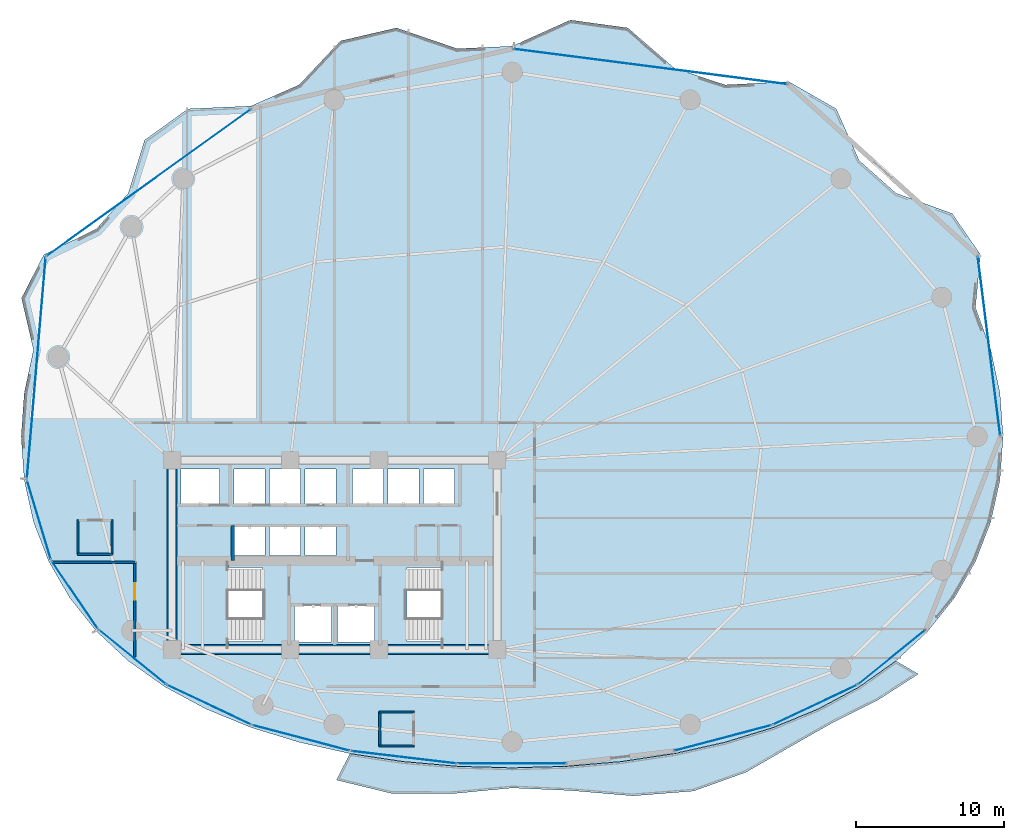
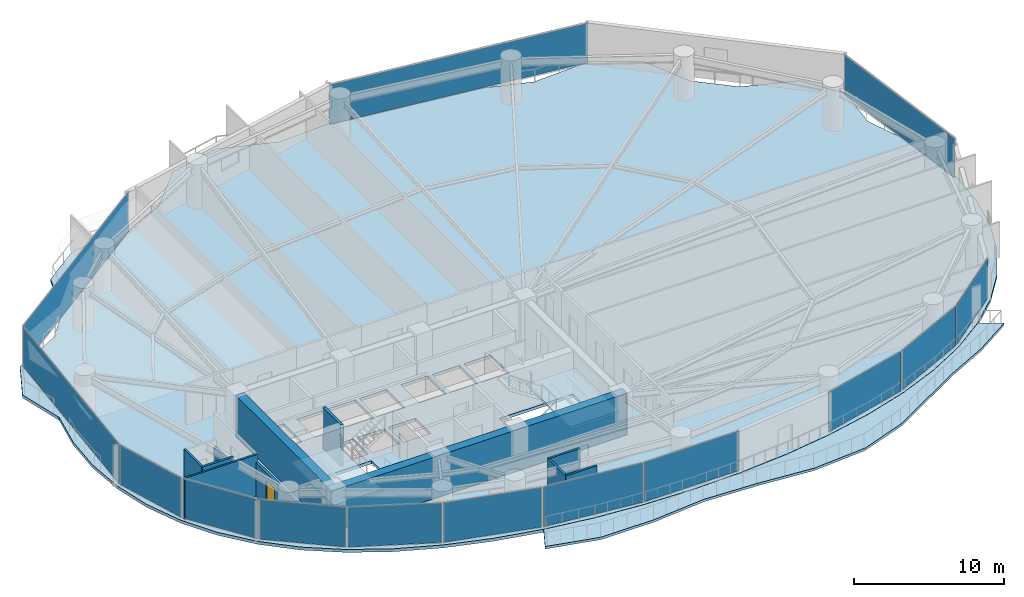
# One storey, part 24 of 30: 14 plates, 11 walls, 4 slabs, 1 door, 1 opening, 16 elements without a shape of their own.
"""IFC4 building model written with IfcOpenShell, lengths in metres."""

from ifc_helpers import new_model, si_unit, direction, frame, frame_2d, origin, origin_2d, place, context, subcontext, project, spatial, polyline, rectangle, outline, extrude, material, layer, layer_set, type_object, element, fill, aggregate, save


model = new_model("IFC4")

# Units and contexts
model_context = context("Model", 3, precision=1e-05, world=origin(), true_north=direction((0.0, 1.0)))
body_context = subcontext(model_context, "Body", "Model", "MODEL_VIEW")
ifc_project = project(units=[si_unit("LENGTHUNIT", "METRE"), si_unit("AREAUNIT", "SQUARE_METRE"), si_unit("VOLUMEUNIT", "CUBIC_METRE"), si_unit("PLANEANGLEUNIT", "RADIAN"), si_unit("MASSUNIT", "GRAM", prefix="KILO")], contexts=[model_context])

# Site, building, storey
site_placement = place(None, origin())
site = spatial("IfcSite", under=ifc_project, at=site_placement, CompositionType="ELEMENT")
building_placement = place(site_placement, origin())
building = spatial("IfcBuilding", under=site, at=building_placement, Name="Kazevale Care Tower and Concert Hall", CompositionType="ELEMENT")
storey_placement = place(building_placement, frame((0.0, 0.0, 74.39990234375)))
storey = spatial("IfcBuildingStorey", under=building, at=storey_placement, Name="L19", CompositionType="ELEMENT", Elevation=74.39990234375)

# Curtain wall, plate
ifc_material_1 = material(Name="Aluminium 6063-T6 and Low-E Glass", Category="aluminium")
ifc_layer_1 = layer(ifc_material_1, 0.179931640625)
ifc_layer_set_1 = layer_set([ifc_layer_1], Name="Aluminium 6063-T6 and Low-E Glass")
curtain_wall_type_1 = type_object("IfcCurtainWallType", Name="Convex Recessed Sunroom Curtain Wall CW-3", PredefinedType="NOTDEFINED", material=ifc_layer_set_1)
curtain_wall_1_placement = place(storey_placement, origin())
curtain_wall_1 = element("IfcCurtainWall", 1, at=curtain_wall_1_placement, inside=storey, type_object=curtain_wall_type_1, Name="cw:L19:f14", PredefinedType="NOTDEFINED")
ifc_material_2 = material(Name="Low-E Laminated Glass", Category="glass")
ifc_layer_2 = layer(ifc_material_2, 0.028076171875)
ifc_layer_set_2 = layer_set([ifc_layer_2], Name="Low-E Laminated Glass")
plate_type_1 = type_object("IfcPlateType", Name="CW-3 Low-E Glazing Panel 28mm", PredefinedType="CURTAIN_PANEL", material=ifc_layer_set_2)
plate_1_placement = place(storey_placement, frame((20.4208984375, 55.169921875, 0.0751953125), z_axis=(0.0, 0.0, 1.0), x_axis=(0.811757810171, 0.583994227391, 0.0)))
plate_1 = element("IfcPlate", 2, at=plate_1_placement, type_object=plate_type_1, Name="CW-3 panel 1.1", PredefinedType="CURTAIN_PANEL", context=body_context, shape_type="SweptSolid", body=[
    extrude(rectangle(XDim=16.990478515625, YDim=0.028076171875, at=origin_2d()), origin(), (0.0, 0.0, 1.0), 3.2099609375),
])
aggregate(curtain_wall_1, [plate_1])

curtain_wall_2_placement = place(storey_placement, origin())
curtain_wall_2 = element("IfcCurtainWall", 3, at=curtain_wall_2_placement, inside=storey, type_object=curtain_wall_type_1, Name="cw:L19:f16", PredefinedType="NOTDEFINED")
plate_2_placement = place(storey_placement, frame((54.349609375, 63.02197265625, 0.0751953125), z_axis=(0.0, 0.0, 1.0), x_axis=(0.991790949461, -0.127869904852, 0.0)))
plate_2 = element("IfcPlate", 4, at=plate_2_placement, type_object=plate_type_1, Name="CW-3 panel 1.1", PredefinedType="CURTAIN_PANEL", context=body_context, shape_type="SweptSolid", body=[
    extrude(rectangle(XDim=18.619140625, YDim=0.028076171875, at=origin_2d()), origin(), (0.0, 0.0, 1.0), 3.2099609375),
])
aggregate(curtain_wall_2, [plate_2])

ifc_layer_3 = layer(ifc_material_1, 0.179931640625)
ifc_layer_set_3 = layer_set([ifc_layer_3], Name="Aluminium 6063-T6 and Low-E Glass")
curtain_wall_type_2 = type_object("IfcCurtainWallType", Name="Waist & Upper Residential Curtain Wall CW-4", PredefinedType="NOTDEFINED", material=ifc_layer_set_3)
curtain_wall_3_placement = place(storey_placement, origin())
curtain_wall_3 = element("IfcCurtainWall", 5, at=curtain_wall_3_placement, inside=storey, type_object=curtain_wall_type_2, Name="cw:L19:f11", PredefinedType="NOTDEFINED")
ifc_layer_4 = layer(ifc_material_2, 0.030029296875)
ifc_layer_set_4 = layer_set([ifc_layer_4], Name="Low-E Laminated Glass")
plate_type_2 = type_object("IfcPlateType", Name="CW-4 Low-E Glazing Panel 30mm", PredefinedType="CURTAIN_PANEL", material=ifc_layer_set_4)
plate_3_placement = place(storey_placement, frame((15.423583984375, 27.298095703125, 0.080078125), z_axis=(0.0, 0.0, 1.0), x_axis=(-0.563665236801, 0.826003329789, 0.0)))
plate_3 = element("IfcPlate", 6, at=plate_3_placement, type_object=plate_type_2, Name="CW-4 panel 1.1", PredefinedType="CURTAIN_PANEL", context=body_context, shape_type="SweptSolid", body=[
    extrude(rectangle(XDim=5.50830078125, YDim=0.030029296875, at=origin_2d()), origin(), (0.0, 0.0, 1.0), 3.199951171875),
])
aggregate(curtain_wall_3, [plate_3])

curtain_wall_4_placement = place(storey_placement, origin())
curtain_wall_4 = element("IfcCurtainWall", 7, at=curtain_wall_4_placement, inside=storey, type_object=curtain_wall_type_2, Name="cw:L19:f12", PredefinedType="NOTDEFINED")
plate_4_placement = place(storey_placement, frame((13.006591796875, 32.364990234375, 0.080078125), z_axis=(0.0, 0.0, 1.0), x_axis=(-0.287895747909, 0.957661755703, 0.0)))
plate_4 = element("IfcPlate", 8, at=plate_4_placement, type_object=plate_type_2, Name="CW-4 panel 1.1", PredefinedType="CURTAIN_PANEL", context=body_context, shape_type="SweptSolid", body=[
    extrude(rectangle(XDim=5.532958984375, YDim=0.030029296875, at=origin_2d()), origin(), (0.0, 0.0, 1.0), 3.199951171875),
])
aggregate(curtain_wall_4, [plate_4])

curtain_wall_5_placement = place(storey_placement, origin())
curtain_wall_5 = element("IfcCurtainWall", 9, at=curtain_wall_5_placement, inside=storey, type_object=curtain_wall_type_2, Name="cw:L19:f13", PredefinedType="NOTDEFINED")
plate_5_placement = place(storey_placement, frame((12.825439453125, 42.6279296875, 0.080078125), z_axis=(0.0, 0.0, 1.0), x_axis=(0.084413041998, 0.996430849754, 0.0)))
plate_5 = element("IfcPlate", 10, at=plate_5_placement, type_object=plate_type_2, Name="CW-4 panel 1.1", PredefinedType="CURTAIN_PANEL", context=body_context, shape_type="SweptSolid", body=[
    extrude(rectangle(XDim=14.968017578125, YDim=0.030029296875, at=origin_2d()), origin(), (0.0, 0.0, 1.0), 3.199951171875),
])
aggregate(curtain_wall_5, [plate_5])

curtain_wall_6_placement = place(storey_placement, origin())
curtain_wall_6 = element("IfcCurtainWall", 11, at=curtain_wall_6_placement, inside=storey, type_object=curtain_wall_type_2, Name="cw:L19:f18", PredefinedType="NOTDEFINED")
plate_6_placement = place(storey_placement, frame((77.251953125, 44.1259765625, 0.080078125), z_axis=(0.0, 0.0, 1.0), x_axis=(0.124393554037, -0.992232958389, 0.0)))
plate_6 = element("IfcPlate", 12, at=plate_6_placement, type_object=plate_type_2, Name="CW-4 panel 1.1", PredefinedType="CURTAIN_PANEL", context=body_context, shape_type="SweptSolid", body=[
    extrude(rectangle(XDim=12.18798828125, YDim=0.030029296875, at=origin_2d()), origin(), (0.0, 0.0, 1.0), 3.199951171875),
])
aggregate(curtain_wall_6, [plate_6])

ifc_layer_5 = layer(ifc_material_1, 0.179931640625)
ifc_layer_set_5 = layer_set([ifc_layer_5], Name="Aluminium 6063-T6 and Low-E Glass")
curtain_wall_type_3 = type_object("IfcCurtainWallType", Name="Sheltered Concave Balcony Curtain Wall CW-5", PredefinedType="NOTDEFINED", material=ifc_layer_set_5)
curtain_wall_7_placement = place(storey_placement, origin())
curtain_wall_7 = element("IfcCurtainWall", 13, at=curtain_wall_7_placement, inside=storey, type_object=curtain_wall_type_3, Name="cw:L19:f02", PredefinedType="NOTDEFINED")
ifc_layer_6 = layer(ifc_material_2, 0.02587890625)
ifc_layer_set_6 = layer_set([ifc_layer_6], Name="Low-E Laminated Glass")
plate_type_3 = type_object("IfcPlateType", Name="CW-5 Low-E Glazing Panel 26mm", PredefinedType="CURTAIN_PANEL", material=ifc_layer_set_6)
plate_7_placement = place(storey_placement, frame((70.679931640625, 23.092041015625, 0.0751953125), z_axis=(0.0, 0.0, 1.0), x_axis=(-0.77659940539, -0.629994732952, 0.0)))
plate_7 = element("IfcPlate", 14, at=plate_7_placement, type_object=plate_type_3, Name="CW-5 panel 1.1", PredefinedType="CURTAIN_PANEL", context=body_context, shape_type="SweptSolid", body=[
    extrude(rectangle(XDim=5.770751953125, YDim=0.02587890625, at=origin_2d()), origin(), (0.0, 0.0, 1.0), 3.2099609375),
])
aggregate(curtain_wall_7, [plate_7])

curtain_wall_8_placement = place(storey_placement, origin())
curtain_wall_8 = element("IfcCurtainWall", 15, at=curtain_wall_8_placement, inside=storey, type_object=curtain_wall_type_3, Name="cw:L19:f03", PredefinedType="NOTDEFINED")
plate_8_placement = place(storey_placement, frame((65.491943359375, 19.863037109375, 0.0751953125), z_axis=(0.0, 0.0, 1.0), x_axis=(-0.904278859092, -0.426942320459, 0.0)))
plate_8 = element("IfcPlate", 16, at=plate_8_placement, type_object=plate_type_3, Name="CW-5 panel 1.1", PredefinedType="CURTAIN_PANEL", context=body_context, shape_type="SweptSolid", body=[
    extrude(rectangle(XDim=6.239501953125, YDim=0.02587890625, at=origin_2d()), origin(), (0.0, 0.0, 1.0), 3.2099609375),
])
aggregate(curtain_wall_8, [plate_8])

curtain_wall_9_placement = place(storey_placement, origin())
curtain_wall_9 = element("IfcCurtainWall", 17, at=curtain_wall_9_placement, inside=storey, type_object=curtain_wall_type_3, Name="cw:L19:f04", PredefinedType="NOTDEFINED")
plate_9_placement = place(storey_placement, frame((59.267578125, 17.6201171875, 0.0751953125), z_axis=(0.0, 0.0, 1.0), x_axis=(-0.966986230097, -0.254828630267, 0.0)))
plate_9 = element("IfcPlate", 18, at=plate_9_placement, type_object=plate_type_3, Name="CW-5 panel 1.1", PredefinedType="CURTAIN_PANEL", context=body_context, shape_type="SweptSolid", body=[
    extrude(rectangle(XDim=6.748779296875, YDim=0.02587890625, at=origin_2d()), origin(), (0.0, 0.0, 1.0), 3.2099609375),
])
aggregate(curtain_wall_9, [plate_9])

curtain_wall_10_placement = place(storey_placement, origin())
curtain_wall_10 = element("IfcCurtainWall", 19, at=curtain_wall_10_placement, inside=storey, type_object=curtain_wall_type_3, Name="cw:L19:f06", PredefinedType="NOTDEFINED")
plate_10_placement = place(storey_placement, frame((45.0, 15.885986328125, 0.0751953125), z_axis=(0.0, 0.0, 1.0), x_axis=(-1.0, 0.0, 0.0)))
plate_10 = element("IfcPlate", 20, at=plate_10_placement, type_object=plate_type_3, Name="CW-5 panel 1.1", PredefinedType="CURTAIN_PANEL", context=body_context, shape_type="SweptSolid", body=[
    extrude(rectangle(XDim=7.263916015625, YDim=0.02587890625, at=origin_2d()), origin(), (0.0, 0.0, 1.0), 3.2099609375),
])
aggregate(curtain_wall_10, [plate_10])

curtain_wall_11_placement = place(storey_placement, origin())
curtain_wall_11 = element("IfcCurtainWall", 21, at=curtain_wall_11_placement, inside=storey, type_object=curtain_wall_type_3, Name="cw:L19:f07", PredefinedType="NOTDEFINED")
plate_11_placement = place(storey_placement, frame((37.680419921875, 16.3134765625, 0.0751953125), z_axis=(0.0, 0.0, 1.0), x_axis=(-0.993070624294, 0.117519084253, 0.0)))
plate_11 = element("IfcPlate", 22, at=plate_11_placement, type_object=plate_type_3, Name="CW-5 panel 1.1", PredefinedType="CURTAIN_PANEL", context=body_context, shape_type="SweptSolid", body=[
    extrude(rectangle(XDim=7.12548828125, YDim=0.02587890625, at=origin_2d()), origin(), (0.0, 0.0, 1.0), 3.2099609375),
])
aggregate(curtain_wall_11, [plate_11])

curtain_wall_12_placement = place(storey_placement, origin())
curtain_wall_12 = element("IfcCurtainWall", 23, at=curtain_wall_12_placement, inside=storey, type_object=curtain_wall_type_3, Name="cw:L19:f08", PredefinedType="NOTDEFINED")
plate_12_placement = place(storey_placement, frame((30.732421875, 17.6201171875, 0.0751953125), z_axis=(0.0, 0.0, 1.0), x_axis=(-0.966986230097, 0.254828630267, 0.0)))
plate_12 = element("IfcPlate", 24, at=plate_12_placement, type_object=plate_type_3, Name="CW-5 panel 1.1", PredefinedType="CURTAIN_PANEL", context=body_context, shape_type="SweptSolid", body=[
    extrude(rectangle(XDim=6.748779296875, YDim=0.02587890625, at=origin_2d()), origin(), (0.0, 0.0, 1.0), 3.2099609375),
])
aggregate(curtain_wall_12, [plate_12])

curtain_wall_13_placement = place(storey_placement, origin())
curtain_wall_13 = element("IfcCurtainWall", 25, at=curtain_wall_13_placement, inside=storey, type_object=curtain_wall_type_3, Name="cw:L19:f09", PredefinedType="NOTDEFINED")
plate_13_placement = place(storey_placement, frame((24.508056640625, 19.863037109375, 0.0751953125), z_axis=(0.0, 0.0, 1.0), x_axis=(-0.904278859092, 0.426942320459, 0.0)))
plate_13 = element("IfcPlate", 26, at=plate_13_placement, type_object=plate_type_3, Name="CW-5 panel 1.1", PredefinedType="CURTAIN_PANEL", context=body_context, shape_type="SweptSolid", body=[
    extrude(rectangle(XDim=6.239501953125, YDim=0.02587890625, at=origin_2d()), origin(), (0.0, 0.0, 1.0), 3.2099609375),
])
aggregate(curtain_wall_13, [plate_13])

curtain_wall_14_placement = place(storey_placement, origin())
curtain_wall_14 = element("IfcCurtainWall", 27, at=curtain_wall_14_placement, inside=storey, type_object=curtain_wall_type_3, Name="cw:L19:f10", PredefinedType="NOTDEFINED")
plate_14_placement = place(storey_placement, frame((19.320068359375, 23.092041015625, 0.0751953125), z_axis=(0.0, 0.0, 1.0), x_axis=(-0.77659940539, 0.629994732952, 0.0)))
plate_14 = element("IfcPlate", 28, at=plate_14_placement, type_object=plate_type_3, Name="CW-5 panel 1.1", PredefinedType="CURTAIN_PANEL", context=body_context, shape_type="SweptSolid", body=[
    extrude(rectangle(XDim=5.770751953125, YDim=0.02587890625, at=origin_2d()), origin(), (0.0, 0.0, 1.0), 3.2099609375),
])
aggregate(curtain_wall_14, [plate_14])

# Slab
ifc_material_3 = material(Name="Concrete C40", Category="concrete")
ifc_layer_7 = layer(ifc_material_3, 0.199951171875)
ifc_layer_set_7 = layer_set([ifc_layer_7], Name="Concrete C40")
slab_type_1 = type_object("IfcSlabType", Name="Sinusoidal Concave Balcony Slab 200", PredefinedType="USERDEFINED", material=ifc_layer_set_7)
slab_1_placement = place(storey_placement, frame((0.0, 0.0, -0.199951171875)))
element("IfcSlab", 29, at=slab_1_placement, inside=storey, type_object=slab_type_1, Name="slab:L19:bal", ObjectType="BALCONY", PredefinedType="USERDEFINED", context=body_context, shape_type="SweptSolid", body=[
    extrude(outline(polyline([(72.469970703125, 21.942626953125), (69.722900390625, 20.17431640625), (66.71044921875, 18.676025390625), (63.825927734375, 17.03515625), (60.818115234375, 15.300537109375), (57.26318359375, 14.026611328125), (53.16845703125, 13.702880859375), (48.9912109375, 14.062255859375), (45.0, 14.240478515625), (40.973876953125, 13.85302734375), (36.88427734375, 13.85986328125), (33.1201171875, 14.775634765625), (34.0322265625, 16.55908203125), (34.03369140625, 16.558837890625), (37.61181640625, 16.0205078125), (41.282470703125, 15.700927734375), (45.0, 15.594970703125), (48.717529296875, 15.700927734375), (52.38818359375, 16.0205078125), (55.96630859375, 16.558837890625), (59.40625, 17.323974609375), (62.665283203125, 18.324951171875), (65.701904296875, 19.571044921875), (68.478515625, 21.069091796875), (70.9599609375, 22.8232421875), (70.961181640625, 22.824462890625), (72.469970703125, 21.942626953125)])), origin(), (0.0, 0.0, 1.0), 0.199951171875),
])

# Stair, slab
stair_type = type_object("IfcStairType", Name="Exit Stair Assembly ST1-Z1", PredefinedType="HALF_TURN_STAIR", material=ifc_material_3)
stair_1_placement = place(storey_placement, origin())
stair_1 = element("IfcStair", 30, at=stair_1_placement, inside=storey, type_object=stair_type, Name="stair:L19:ST1", PredefinedType="HALF_TURN_STAIR")
ifc_layer_8 = layer(ifc_material_3, 0.199951171875)
ifc_layer_set_8 = layer_set([ifc_layer_8], Name="Concrete C40")
slab_type_2 = type_object("IfcSlabType", Name="Stair Half-Landing Slab ST1-Z1", PredefinedType="LANDING", material=ifc_layer_set_8)
slab_2_placement = place(storey_placement, frame((0.0, 0.0, 1.60009765625)))
slab_2 = element("IfcSlab", 31, at=slab_2_placement, type_object=slab_type_2, Name="ST1-Z1 landing 1", PredefinedType="LANDING", context=body_context, shape_type="SweptSolid", body=[
    extrude(outline(polyline([(22.050048828125, 23.699951171875), (25.81005859375, 23.699951171875), (25.81005859375, 29.5), (22.050048828125, 29.5), (22.050048828125, 23.699951171875)])), origin(), (0.0, 0.0, 1.0), 0.199951171875),
])
aggregate(stair_1, [slab_2])

stair_2_placement = place(storey_placement, origin())
stair_2 = element("IfcStair", 32, at=stair_2_placement, inside=storey, type_object=stair_type, Name="stair:L19:ST2", PredefinedType="HALF_TURN_STAIR")
slab_3_placement = place(storey_placement, frame((0.0, 0.0, 1.60009765625)))
slab_3 = element("IfcSlab", 33, at=slab_3_placement, type_object=slab_type_2, Name="ST1-Z1 landing 1", PredefinedType="LANDING", context=body_context, shape_type="SweptSolid", body=[
    extrude(outline(polyline([(40.18994140625, 23.699951171875), (43.949951171875, 23.699951171875), (43.949951171875, 29.5), (40.18994140625, 29.5), (40.18994140625, 23.699951171875)])), origin(), (0.0, 0.0, 1.0), 0.199951171875),
])
aggregate(stair_2, [slab_3])

# Slab
ifc_layer_9 = layer(ifc_material_3, 0.239990234375)
ifc_layer_set_9 = layer_set([ifc_layer_9], Name="Concrete C40")
slab_type_3 = type_object("IfcSlabType", Name="Tower Typical Floor Slab 240", PredefinedType="FLOOR", material=ifc_layer_set_9)
slab_4_placement = place(storey_placement, frame((0.0, 0.0, -0.239990234375)))
element("IfcSlab", 34, at=slab_4_placement, inside=storey, type_object=slab_type_3, Name="slab:L19:tw:1", PredefinedType="FLOOR", context=body_context, shape_type="SweptSolid", body=[
    extrude(outline(polyline([(78.199951171875, 38.0), (77.9912109375, 40.955810546875), (77.36767578125, 43.87451171875), (76.3369140625, 46.719482421875), (76.669189453125, 50.300537109375), (74.762451171875, 53.0830078125), (70.956787109375, 54.460205078125), (68.475830078125, 56.66748046875), (66.915771484375, 60.164794921875), (63.700927734375, 62.004638671875), (59.40478515625, 61.78564453125), (55.96533203125, 62.91845703125), (52.821533203125, 65.63916015625), (48.935546875, 66.171630859375), (45.0, 64.39990234375), (41.28271484375, 64.23388671875), (37.178466796875, 65.63916015625), (33.390625, 64.759033203125), (30.59521484375, 61.78564453125), (27.33642578125, 60.353515625), (23.084228515625, 60.164794921875), (20.145263671875, 58.04638671875), (19.043212890625, 54.460205078125), (16.888916015625, 52.045654296875), (13.330810546875, 50.300537109375), (11.822509765625, 47.36328125), (12.63232421875, 43.87451171875), (12.0087890625, 40.955810546875), (11.800048828125, 38.0), (12.0087890625, 35.06494140625), (12.63232421875, 32.23388671875), (13.6630859375, 29.560791015625), (15.087890625, 27.084716796875), (16.888916015625, 24.833984375), (19.043212890625, 22.8271484375), (21.524169921875, 21.073486328125), (24.300048828125, 19.575439453125), (27.33642578125, 18.32958984375), (30.59521484375, 17.32861328125), (34.03466796875, 16.563720703125), (37.6123046875, 16.025390625), (41.28271484375, 15.705810546875), (45.0, 15.60009765625), (48.71728515625, 15.705810546875), (52.3876953125, 16.025390625), (55.96533203125, 16.563720703125), (59.40478515625, 17.32861328125), (62.66357421875, 18.32958984375), (65.699951171875, 19.575439453125), (68.475830078125, 21.073486328125), (70.956787109375, 22.8271484375), (73.111083984375, 24.833984375), (74.912109375, 27.084716796875), (76.3369140625, 29.560791015625), (77.36767578125, 32.23388671875), (77.9912109375, 35.06494140625), (78.199951171875, 38.0)]), holes=[polyline([(22.449951171875, 24.14990234375), (28.110107421875, 24.14990234375), (28.110107421875, 29.14990234375), (22.449951171875, 29.14990234375), (22.449951171875, 24.14990234375)]), polyline([(37.889892578125, 24.14990234375), (43.550048828125, 24.14990234375), (43.550048828125, 29.14990234375), (37.889892578125, 29.14990234375), (37.889892578125, 24.14990234375)]), polyline([(30.300048828125, 24.10009765625), (32.800048828125, 24.10009765625), (32.800048828125, 26.60009765625), (30.300048828125, 26.60009765625), (30.300048828125, 24.10009765625)]), polyline([(33.199951171875, 24.10009765625), (35.699951171875, 24.10009765625), (35.699951171875, 26.60009765625), (33.199951171875, 26.60009765625), (33.199951171875, 24.10009765625)]), polyline([(22.60009765625, 33.39990234375), (25.199951171875, 33.39990234375), (25.199951171875, 35.800048828125), (22.60009765625, 35.800048828125), (22.60009765625, 33.39990234375)]), polyline([(26.199951171875, 33.39990234375), (28.300048828125, 33.39990234375), (28.300048828125, 35.800048828125), (26.199951171875, 35.800048828125), (26.199951171875, 33.39990234375)]), polyline([(28.60009765625, 33.39990234375), (30.699951171875, 33.39990234375), (30.699951171875, 35.800048828125), (28.60009765625, 35.800048828125), (28.60009765625, 33.39990234375)]), polyline([(31.0, 33.39990234375), (33.10009765625, 33.39990234375), (33.10009765625, 35.800048828125), (31.0, 35.800048828125), (31.0, 33.39990234375)]), polyline([(34.199951171875, 33.39990234375), (36.300048828125, 33.39990234375), (36.300048828125, 35.800048828125), (34.199951171875, 35.800048828125), (34.199951171875, 33.39990234375)]), polyline([(36.60009765625, 33.39990234375), (38.699951171875, 33.39990234375), (38.699951171875, 35.800048828125), (36.60009765625, 35.800048828125), (36.60009765625, 33.39990234375)]), polyline([(39.0, 33.39990234375), (41.10009765625, 33.39990234375), (41.10009765625, 35.800048828125), (39.0, 35.800048828125), (39.0, 33.39990234375)]), polyline([(26.199951171875, 29.949951171875), (28.300048828125, 29.949951171875), (28.300048828125, 31.949951171875), (26.199951171875, 31.949951171875), (26.199951171875, 29.949951171875)]), polyline([(28.60009765625, 29.949951171875), (30.699951171875, 29.949951171875), (30.699951171875, 31.949951171875), (28.60009765625, 31.949951171875), (28.60009765625, 29.949951171875)]), polyline([(31.0, 29.949951171875), (33.10009765625, 29.949951171875), (33.10009765625, 31.949951171875), (31.0, 31.949951171875), (31.0, 29.949951171875)])]), origin(), (0.0, 0.0, 1.0), 0.239990234375),
])

# Walls
ifc_material_4 = material(Name="Acoustic Gypsum on Steel Stud", Category="steel")
ifc_layer_10 = layer(ifc_material_4, 0.139892578125)
ifc_layer_set_10 = layer_set([ifc_layer_10], Name="Acoustic Gypsum on Steel Stud")
wall_type_1 = type_object("IfcWallType", Name="Acoustic Care & Suite Partition 140", PredefinedType="PARTITIONING", material=ifc_layer_set_10)
wall_1_placement = place(storey_placement, frame((13.930908203125, 29.5, 0.0), z_axis=(0.0, 0.0, 1.0), x_axis=(1.0, 0.0, 0.0)))
element("IfcWall", 35, at=wall_1_placement, inside=storey, type_object=wall_type_1, Name="wall:L19:auto_027", PredefinedType="PARTITIONING", context=body_context, shape_type="SweptSolid", body=[
    extrude(rectangle(XDim=5.573974609375, YDim=0.139892578125, at=frame_2d((2.787109375, 0.0))), origin(), (0.0, 0.0, 1.0), 3.360107421875),
])
ifc_material_5 = material(Name="Concrete C70", Category="concrete")
ifc_layer_11 = layer(ifc_material_5, 0.64990234375)
ifc_layer_set_11 = layer_set([ifc_layer_11], Name="Concrete C70")
wall_type_2 = type_object("IfcWallType", Name="Core Shear Wall 650 C70", PredefinedType="SHEAR", material=ifc_layer_set_11)
wall_2_placement = place(storey_placement, frame((21.675048828125, 23.60009765625, 0.0), z_axis=(0.0, 0.0, 1.0), x_axis=(1.0, 0.0, 0.0)))
element("IfcWall", 36, at=wall_2_placement, inside=storey, type_object=wall_type_2, Name="wall:L19:core:S", PredefinedType="SHEAR", context=body_context, shape_type="SweptSolid", body=[
    extrude(rectangle(XDim=22.64990234375, YDim=0.64990234375, at=frame_2d((11.324951171875, 0.0))), origin(), (0.0, 0.0, 1.0), 3.360107421875),
])
wall_3_placement = place(storey_placement, frame((22.0, 23.925048828125, 0.0), z_axis=(0.0, 0.0, 1.0), x_axis=(0.0, 1.0, 0.0)))
element("IfcWall", 37, at=wall_3_placement, inside=storey, type_object=wall_type_2, Name="wall:L19:core:W", PredefinedType="SHEAR", context=body_context, shape_type="SweptSolid", body=[
    extrude(rectangle(XDim=12.14990234375, YDim=0.64990234375, at=frame_2d((6.074951171875, 0.0))), origin(), (0.0, 0.0, 1.0), 3.360107421875),
])
ifc_layer_12 = layer(ifc_material_3, 0.219970703125)
ifc_layer_set_12 = layer_set([ifc_layer_12], Name="Concrete C40")
wall_type_3 = type_object("IfcWallType", Name="Elevator Hoistway Shaft Wall 220", PredefinedType="SOLIDWALL", material=ifc_layer_set_12)
wall_4_placement = place(storey_placement, frame((26.10009765625, 29.6201171875, 0.0), z_axis=(0.0, 0.0, 1.0), x_axis=(0.0, 1.0, 0.0)))
element("IfcWall", 38, at=wall_4_placement, inside=storey, type_object=wall_type_3, Name="wall:L19:c_ph_w", PredefinedType="SOLIDWALL", context=body_context, shape_type="SweptSolid", body=[
    extrude(rectangle(XDim=2.35986328125, YDim=0.219970703125, at=frame_2d((1.179931640625, 0.0))), origin(), (0.0, 0.0, 1.0), 3.360107421875),
])

# Wall, opening, door
ifc_material_6 = material(Name="Concrete C40 and Acoustic Gypsum", Category="concrete")
ifc_layer_13 = layer(ifc_material_6, 0.179931640625)
ifc_layer_set_13 = layer_set([ifc_layer_13], Name="Concrete C40 and Acoustic Gypsum")
wall_type_4 = type_object("IfcWallType", Name="Fire-Rated Corridor & Party Wall 180", PredefinedType="PARTITIONING", material=ifc_layer_set_13)
wall_5_placement = place(storey_placement, frame((19.47509765625, 23.0849609375, 0.0), z_axis=(0.0, 0.0, 1.0), x_axis=(0.0, 1.0, 0.0)))
wall_5 = element("IfcWall", 39, at=wall_5_placement, inside=storey, type_object=wall_type_4, Name="wall:L19:auto_014", PredefinedType="PARTITIONING", context=body_context, shape_type="SweptSolid", body=[
    extrude(rectangle(XDim=6.47998046875, YDim=0.179931640625, at=frame_2d((3.239990234375, 0.0))), origin(), (0.0, 0.0, 1.0), 2.738037109375),
])
opening_placement = place(wall_5_placement, frame((3.889892578125, 0.0, 0.0)))
opening = element("IfcOpeningElement", 40, at=opening_placement, cuts=wall_5, Name="Opening ID-1100", PredefinedType="OPENING", context=body_context, shape_type="SweptSolid", body=[
    extrude(rectangle(XDim=1.10009765625, YDim=2.10009765625, at=frame_2d((0.550048828125, 1.050048828125))), frame((0.0, 0.099853515625, 0.0), z_axis=(0.0, -1.0, 0.0), x_axis=(1.0, 0.0, 0.0)), (0.0, 0.0, 1.0), 0.199951171875),
])
ifc_material_7 = material(Name="Oak Timber Fire Leaf", Category="wood")
door_type = type_object("IfcDoorType", Name="Care Bedroom Accessible Door 1100x2100", OperationType="NOTDEFINED", PredefinedType="DOOR", material=ifc_material_7)
door_placement = place(opening_placement, origin())
door = element("IfcDoor", 41, at=door_placement, inside=storey, type_object=door_type, Name="door:L19:ad_014", OperationType="SINGLE_SWING_LEFT", OverallHeight=2.10009765625, OverallWidth=1.10009765625, PredefinedType="DOOR", context=body_context, shape_type="SweptSolid", body=[
    extrude(rectangle(XDim=1.10009765625, YDim=2.10009765625, at=frame_2d((0.550048828125, 1.050048828125))), frame((0.0, 0.02490234375, 0.0), z_axis=(0.0, -1.0, 0.0), x_axis=(1.0, 0.0, 0.0)), (0.0, 0.0, 1.0), 0.050048828125),
])
fill(opening, door)

# Walls
ifc_layer_14 = layer(ifc_material_4, 0.159912109375)
ifc_layer_set_14 = layer_set([ifc_layer_14], Name="Acoustic Gypsum on Steel Stud")
wall_type_5 = type_object("IfcWallType", Name="Moisture-Resistant Bathroom Plumbing Wall 160", PredefinedType="PLUMBINGWALL", material=ifc_layer_set_14)
for number, where, z_axis, x_axis, name in (
    (42, (36.010009765625, 17.080078125, 0.0), (0.0, 0.0, 1.0), (1.0, 0.0, 0.0), "wall:L19:sb2_ens_ws"),
    (43, (36.010009765625, 19.3798828125, 0.0), (0.0, 0.0, 1.0), (1.0, 0.0, 0.0), "wall:L19:sb2_ens_wn"),
    (44, (36.050048828125, 17.0400390625, 0.0), (0.0, 0.0, 1.0), (0.0, 1.0, 0.0), "wall:L19:sb2_ens_ww"),
    (45, (15.60205078125, 30.050048828125, 0.0), (0.0, 0.0, 1.0), (1.0, 0.0, 0.0), "wall:L19:wb3_ens_ws"),
    (46, (15.64208984375, 30.010009765625, 0.0), (0.0, 0.0, 1.0), (0.0, 1.0, 0.0), "wall:L19:wb3_ens_ww"),
):
    element("IfcWall", number, at=place(storey_placement, frame(where, z_axis=z_axis, x_axis=x_axis)), inside=storey, type_object=wall_type_5, Name=name, PredefinedType="PLUMBINGWALL", context=body_context, shape_type="SweptSolid", body=[
        extrude(rectangle(XDim=2.3798828125, YDim=0.159912109375, at=frame_2d((1.18994140625, 0.0))), origin(), (0.0, 0.0, 1.0), 3.360107421875),
    ])
wall_6_placement = place(storey_placement, frame((17.94189453125, 30.010009765625, 0.0), z_axis=(0.0, 0.0, 1.0), x_axis=(0.0, 1.0, 0.0)))
element("IfcWall", 47, at=wall_6_placement, inside=storey, type_object=wall_type_5, Name="wall:L19:wb3_ens_we", PredefinedType="PLUMBINGWALL", context=body_context, shape_type="SweptSolid", body=[
    extrude(rectangle(XDim=2.3798828125, YDim=0.159912109375, at=frame_2d((1.18994140625, 0.0))), origin(), (0.0, 0.0, 1.0), 2.738037109375),
])

save(model, "model.ifc")
